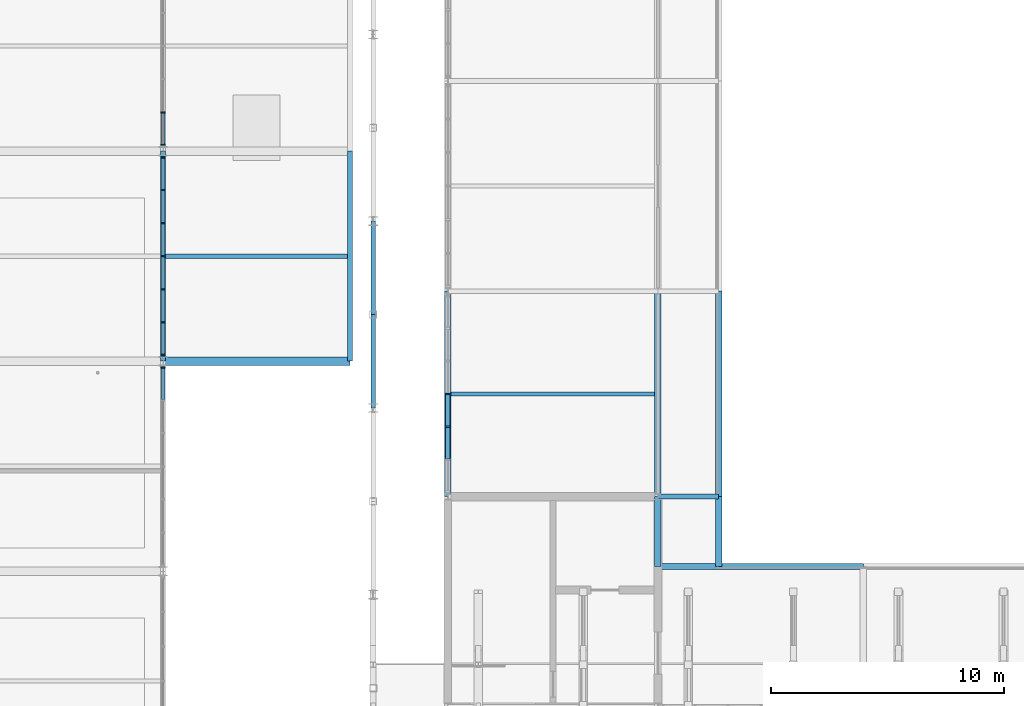
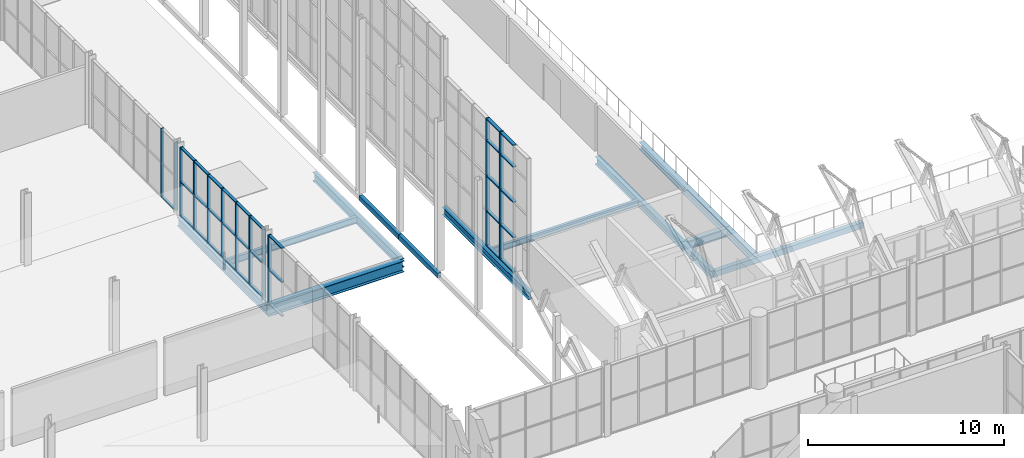
# One storey, part 48 of 134: 44 members, 14 beams, 4 elements without a shape of their own.
"""IFC4 building model written with IfcOpenShell, lengths in metres."""

import ifcopenshell
import ifcopenshell.guid

model = None  # the IFC model being written
_history = None  # IfcOwnerHistory: only IFC2X3 demands one
_inside = {}  # id of a spatial element -> (the spatial element, [elements in it])
_under = {}  # id of a project, library or spatial element -> (it, [spatial elements below it])
_declared = {}  # id of a project -> (the project, [libraries it declares])
_typed = {}  # id of a type object -> (the type object, [elements of that type])
_made_of = {}  # id of a material, layer set ... -> (it, [elements and type objects made of it])


def new_model(schema):
    """Start an empty IFC model of exactly this schema.

    Asked for "IFC4X3", IfcOpenShell would pick the latest addendum, in which some entities
    have other attributes; the version numbers below select the first issue.
    IFC2X3 requires an IfcOwnerHistory on every rooted entity: one is made here for all.
    """
    global model, _history
    if schema == "IFC4X3":
        model = ifcopenshell.file(schema_version=(4, 3, 0, 0))
    else:
        model = ifcopenshell.file(schema=schema)
    _inside.clear()
    _under.clear()
    _declared.clear()
    _typed.clear()
    _made_of.clear()
    _history = None
    if model.schema == "IFC2X3":
        org = make("IfcOrganization", Name="unknown")
        user = make(
            "IfcPersonAndOrganization",
            ThePerson=make("IfcPerson", FamilyName="unknown"),
            TheOrganization=org,
        )
        app = make(
            "IfcApplication",
            ApplicationDeveloper=org,
            Version="unknown",
            ApplicationFullName="unknown",
            ApplicationIdentifier="unknown",
        )
        _history = make(
            "IfcOwnerHistory",
            OwningUser=user,
            OwningApplication=app,
            ChangeAction="ADDED",
            CreationDate=0,
        )
    return model


def make(cls, **values):
    """One entity of the class cls with the attributes given. An attribute that is None is left unset."""
    return model.create_entity(
        cls, **{name: value for name, value in values.items() if value is not None}
    )


def rooted(cls, **values):
    """An entity with a GlobalId (a new one), such as an element, a storey or a relation."""
    return make(cls, GlobalId=ifcopenshell.guid.new(), OwnerHistory=_history, **values)


def si_unit(unit_type, name, prefix=None):
    """IfcSIUnit, for example si_unit("LENGTHUNIT", "METRE", prefix="MILLI")."""
    return make("IfcSIUnit", UnitType=unit_type, Prefix=prefix, Name=name)


def assignment(units):
    """IfcUnitAssignment: the units of a project."""
    return None if units is None else make("IfcUnitAssignment", Units=units)


def point(xyz):
    """IfcCartesianPoint."""
    return None if xyz is None else make("IfcCartesianPoint", Coordinates=xyz)


def direction(xyz):
    """IfcDirection."""
    return None if xyz is None else make("IfcDirection", DirectionRatios=xyz)


def frame(location, z_axis=None, x_axis=None):
    """IfcAxis2Placement3D, a coordinate frame: its origin and axes. An axis left out is left unset."""
    return make(
        "IfcAxis2Placement3D",
        Location=point(location),
        Axis=direction(z_axis),
        RefDirection=direction(x_axis),
    )


def frame_2d(location, x_axis=None):
    """IfcAxis2Placement2D, a coordinate frame in the plane: its origin and x axis."""
    return make(
        "IfcAxis2Placement2D", Location=point(location), RefDirection=direction(x_axis)
    )


def origin():
    """The frame at (0, 0, 0) with its axes left unset."""
    return frame((0.0, 0.0, 0.0))


def origin_2d():
    """The frame at (0, 0) in the plane with its x axis left unset."""
    return frame_2d((0.0, 0.0))


def place(relative_to, where):
    """IfcLocalPlacement: puts the frame where relative to a parent placement (None: the world)."""
    return make(
        "IfcLocalPlacement", PlacementRelTo=relative_to, RelativePlacement=where
    )


def context(
    kind, dimensions, precision=None, world=None, true_north=None, identifier=None
):
    """IfcGeometricRepresentationContext, for example the 3D "Model" context."""
    return make(
        "IfcGeometricRepresentationContext",
        ContextIdentifier=identifier,
        ContextType=kind,
        CoordinateSpaceDimension=dimensions,
        Precision=precision,
        WorldCoordinateSystem=world,
        TrueNorth=true_north,
    )


def subcontext(parent, identifier, kind, view, scale=None):
    """IfcGeometricRepresentationSubContext, for example "Body" below "Model"."""
    return make(
        "IfcGeometricRepresentationSubContext",
        ContextIdentifier=identifier,
        ContextType=kind,
        ParentContext=parent,
        TargetScale=scale,
        TargetView=view,
    )


def project(units=None, contexts=None):
    """IfcProject with its units and contexts."""
    return rooted(
        "IfcProject",
        Name="project",
        RepresentationContexts=contexts,
        UnitsInContext=assignment(units),
    )


def spatial(cls, under=None, at=None, **own):
    """A site, building, storey or space (cls), placed at a placement, below another one or the project."""
    s = rooted(cls, ObjectPlacement=at, **own)
    if under is not None:
        _under.setdefault(under.id(), (under, []))[1].append(s)
    return s


def profile(cls, at=None, kind="AREA", **sizes):
    """A parametric profile (cls). Its sizes go by their IFC names, for example OverallWidth=200.0."""
    return make(cls, ProfileType=kind, Position=at, **sizes)


def rectangle(**sizes):
    """IfcRectangleProfileDef."""
    return profile("IfcRectangleProfileDef", **sizes)


def hollow_rectangle(**sizes):
    """IfcRectangleHollowProfileDef."""
    return profile("IfcRectangleHollowProfileDef", **sizes)


def i_section(**sizes):
    """IfcIShapeProfileDef."""
    return profile("IfcIShapeProfileDef", **sizes)


def extrude(swept, where, along, depth):
    """IfcExtrudedAreaSolid: the profile swept, set in the frame where, extruded along a direction by depth."""
    return make(
        "IfcExtrudedAreaSolid",
        SweptArea=swept,
        Position=where,
        ExtrudedDirection=direction(along),
        Depth=depth,
    )


def shape(context_of_items, identifier, shape_type, items):
    """IfcShapeRepresentation: the items that make up one representation, for example the "Body"."""
    return make(
        "IfcShapeRepresentation",
        ContextOfItems=context_of_items,
        RepresentationIdentifier=identifier,
        RepresentationType=shape_type,
        Items=items,
    )


def material(Name=None, Category=None):
    """IfcMaterial."""
    return make("IfcMaterial", Name=Name, Category=Category)


def layer(
    of_material, thickness, ventilated=None, Name=None, Category=None, Priority=None
):
    """IfcMaterialLayer: one layer of a wall or slab, of a material (None: an air gap)."""
    return make(
        "IfcMaterialLayer",
        Material=of_material,
        LayerThickness=thickness,
        IsVentilated=ventilated,
        Name=Name,
        Category=Category,
        Priority=Priority,
    )


def layer_set(layers, Name=None):
    """IfcMaterialLayerSet."""
    return make("IfcMaterialLayerSet", MaterialLayers=layers, LayerSetName=Name)


def material_profile(
    of_material, cross_section, Name=None, Category=None, Priority=None
):
    """IfcMaterialProfile: a cross section and its material."""
    return make(
        "IfcMaterialProfile",
        Name=Name,
        Material=of_material,
        Profile=cross_section,
        Priority=Priority,
        Category=Category,
    )


def profile_set(profiles, Name=None, composite=None):
    """IfcMaterialProfileSet."""
    return make(
        "IfcMaterialProfileSet",
        Name=Name,
        MaterialProfiles=profiles,
        CompositeProfile=composite,
    )


def made_of(thing, what):
    """Note that an element or type object is made of a material, layer set ...; save() writes the relation."""
    if what is not None:
        _made_of.setdefault(what.id(), (what, []))[1].append(thing)
    return thing


def type_object(cls, material=None, **own):
    """A type object (cls), such as IfcWallType, which elements share."""
    return made_of(rooted(cls, **own), material)


def element(
    cls,
    number,
    at=None,
    inside=None,
    cuts=None,
    type_object=None,
    material=None,
    context=None,
    identifier="Body",
    shape_type=None,
    held_by="IfcProductDefinitionShape",
    body=None,
    shapes=None,
    **own,
):
    """One element of the class cls, such as IfcWall. Its Tag is "e" and its number.

    at: its placement. inside: the storey or other place that contains it. cuts: it is an
    opening in that element (IfcRelVoidsElement). A single representation is given by context,
    identifier, shape_type and body (its items); several are given by shapes. held_by: the class
    of the entity that holds the representations. save() writes the other relations.
    """
    e = rooted(cls, Tag="e%d" % number, ObjectPlacement=at, **own)
    if body is not None:
        shapes = [shape(context, identifier, shape_type, body)]
    if shapes is not None:
        e.Representation = make(held_by, Representations=shapes)
    if inside is not None:
        _inside.setdefault(inside.id(), (inside, []))[1].append(e)
    if cuts is not None:
        rooted(
            "IfcRelVoidsElement", RelatingBuildingElement=cuts, RelatedOpeningElement=e
        )
    if type_object is not None:
        _typed.setdefault(type_object.id(), (type_object, []))[1].append(e)
    return made_of(e, material)


def aggregate(whole, parts):
    """IfcRelAggregates: a whole, such as a stair, and the parts it consists of."""
    return rooted("IfcRelAggregates", RelatingObject=whole, RelatedObjects=parts)


def save(model, path):
    """Write the relations noted so far, then the file.

    IfcRelAggregates (storeys below a building ...), IfcRelContainedInSpatialStructure (elements
    in a storey), IfcRelDefinesByType, IfcRelAssociatesMaterial and IfcRelDeclares: one each for
    every whole, place, type object, material and project.
    """
    for whole, parts in _under.values():
        aggregate(whole, parts)
    for where, things in _inside.values():
        rooted(
            "IfcRelContainedInSpatialStructure",
            RelatedElements=things,
            RelatingStructure=where,
        )
    for kind, things in _typed.values():
        rooted("IfcRelDefinesByType", RelatedObjects=things, RelatingType=kind)
    for what, things in _made_of.values():
        rooted("IfcRelAssociatesMaterial", RelatedObjects=things, RelatingMaterial=what)
    for by, libraries in _declared.values():
        rooted("IfcRelDeclares", RelatingContext=by, RelatedDefinitions=libraries)
    model.write(path)


model = new_model("IFC4")

# Units and contexts
model_context = context("Model", 3, precision=1e-05, world=origin(), true_north=direction((0.0, 1.0)))
body_context = subcontext(model_context, "Body", "Model", "MODEL_VIEW")
ifc_project = project(units=[si_unit("LENGTHUNIT", "METRE"), si_unit("AREAUNIT", "SQUARE_METRE"), si_unit("VOLUMEUNIT", "CUBIC_METRE"), si_unit("PLANEANGLEUNIT", "RADIAN"), si_unit("MASSUNIT", "GRAM", prefix="KILO")], contexts=[model_context])

# Site, building, storey
site_placement = place(None, origin())
site = spatial("IfcSite", under=ifc_project, at=site_placement, CompositionType="ELEMENT")
building_placement = place(site_placement, origin())
building = spatial("IfcBuilding", under=site, at=building_placement, Name="Cazmaro Siding Exhibition Halls", CompositionType="ELEMENT")
storey_placement = place(building_placement, frame((0.0, 0.0, 12.0)))
storey = spatial("IfcBuildingStorey", under=building, at=storey_placement, Name="L02", CompositionType="ELEMENT", Elevation=12.0)

# Beams
ifc_material_1 = material(Name="Steel ASTM A992 Grade 50", Category="steel")
ifc_material_profile_1 = material_profile(ifc_material_1, i_section(OverallWidth=0.214111328125, OverallDepth=0.549072265625, WebThickness=0.014892578125, FlangeThickness=0.02392578125, at=origin_2d()), Name="W21X93")
ifc_profile_set_1 = profile_set([ifc_material_profile_1], Name="Steel ASTM A992 Grade 50")
beam_type_1 = type_object("IfcBeamType", Name="B-01", PredefinedType="BEAM", material=ifc_profile_set_1)
beam_1_placement = place(storey_placement, frame((36.0, 82.0, -0.4951171875), z_axis=(0.0, 1.0, 0.0), x_axis=(-1.0, 0.0, 0.0)))
element("IfcBeam", 1, at=beam_1_placement, inside=storey, type_object=beam_type_1, Name="Beam B-01 BM-2151", PredefinedType="BEAM", context=body_context, shape_type="SweptSolid", body=[
    extrude(i_section(OverallWidth=0.214111328125, OverallDepth=0.549072265625, WebThickness=0.014892578125, FlangeThickness=0.02392578125, at=origin_2d()), origin(), (0.0, 0.0, 1.0), 9.0),
])
ifc_material_2 = material(Name="Steel ASTM A992 Grade 50", Category="steel")
ifc_material_profile_2 = material_profile(ifc_material_2, i_section(OverallWidth=0.2099609375, OverallDepth=0.535888671875, WebThickness=0.010986328125, FlangeThickness=0.01708984375, at=origin_2d()), Name="W21X68")
ifc_profile_set_2 = profile_set([ifc_material_profile_2], Name="Steel ASTM A992 Grade 50")
beam_type_2 = type_object("IfcBeamType", Name="B-02", PredefinedType="BEAM", material=ifc_profile_set_2)
beam_2_placement = place(storey_placement, frame((57.199951171875, 76.199951171875, -0.488037109375), z_axis=(1.0, 0.0, 0.0), x_axis=(0.0, 1.0, 0.0)))
element("IfcBeam", 2, at=beam_2_placement, inside=storey, type_object=beam_type_2, Name="Beam B-02 BM-0501", PredefinedType="BEAM", context=body_context, shape_type="SweptSolid", body=[
    extrude(i_section(OverallWidth=0.2099609375, OverallDepth=0.535888671875, WebThickness=0.010986328125, FlangeThickness=0.01708984375, at=origin_2d()), origin(), (0.0, 0.0, 1.0), 2.60009765625),
])
beam_3_placement = place(storey_placement, frame((44.0, 82.0, -0.488037109375), z_axis=(0.0, 1.0, 0.0), x_axis=(-1.0, 0.0, 0.0)))
element("IfcBeam", 3, at=beam_3_placement, inside=storey, type_object=beam_type_2, Name="Beam B-02 BM-2162", PredefinedType="BEAM", context=body_context, shape_type="SweptSolid", body=[
    extrude(i_section(OverallWidth=0.2099609375, OverallDepth=0.535888671875, WebThickness=0.010986328125, FlangeThickness=0.01708984375, at=origin_2d()), origin(), (0.0, 0.0, 1.0), 9.0),
])
ifc_material_3 = material(Name="Steel ASTM A992 Grade 50", Category="steel")
ifc_material_profile_3 = material_profile(ifc_material_3, i_section(OverallWidth=0.279052734375, OverallDepth=0.4619140625, WebThickness=0.010986328125, FlangeThickness=0.01708984375, at=origin_2d()), Name="W18X76")
ifc_profile_set_3 = profile_set([ifc_material_profile_3], Name="Steel ASTM A992 Grade 50")
beam_type_3 = type_object("IfcBeamType", Name="B-03", PredefinedType="BEAM", material=ifc_profile_set_3)
for number, where, z_axis, x_axis, name in (
    (4, (48.199951171875, 76.199951171875, -0.450927734375), (0.0, 1.0, 0.0), (-1.0, 0.0, 0.0), "Beam B-03 BM-0489"),
    (5, (57.199951171875, 76.199951171875, -0.450927734375), (0.0, 1.0, 0.0), (-1.0, 0.0, 0.0), "Beam B-03 BM-0490"),
    (6, (59.800048828125, 76.199951171875, -0.450927734375), (0.0, 1.0, 0.0), (-1.0, 0.0, 0.0), "Beam B-03 BM-0505"),
):
    element("IfcBeam", number, at=place(storey_placement, frame(where, z_axis=z_axis, x_axis=x_axis)), inside=storey, type_object=beam_type_3, Name=name, PredefinedType="BEAM", context=body_context, shape_type="SweptSolid", body=[
        extrude(i_section(OverallWidth=0.279052734375, OverallDepth=0.4619140625, WebThickness=0.010986328125, FlangeThickness=0.01708984375, at=origin_2d()), origin(), (0.0, 0.0, 1.0), 8.800048828125),
    ])
for number, where, z_axis, x_axis, name in (
    (7, (57.199951171875, 73.199951171875, -0.450927734375), (0.0, 1.0, 0.0), (-1.0, 0.0, 0.0), "Beam B-03 BM-0531"),
    (8, (59.800048828125, 73.199951171875, -0.450927734375), (0.0, 1.0, 0.0), (-1.0, 0.0, 0.0), "Beam B-03 BM-0532"),
):
    element("IfcBeam", number, at=place(storey_placement, frame(where, z_axis=z_axis, x_axis=x_axis)), inside=storey, type_object=beam_type_3, Name=name, PredefinedType="BEAM", context=body_context, shape_type="SweptSolid", body=[
        extrude(i_section(OverallWidth=0.279052734375, OverallDepth=0.4619140625, WebThickness=0.010986328125, FlangeThickness=0.01708984375, at=origin_2d()), origin(), (0.0, 0.0, 1.0), 3.0),
    ])
ifc_material_4 = material(Name="Steel ASTM A500 Grade C", Category="steel")
ifc_material_profile_4 = material_profile(ifc_material_4, hollow_rectangle(XDim=0.25390625, YDim=0.35595703125, WallThickness=0.014892578125, at=origin_2d()), Name="HSS14X10X5/8")
ifc_profile_set_4 = profile_set([ifc_material_profile_4], Name="Steel ASTM A500 Grade C")
beam_type_4 = type_object("IfcBeamType", Name="B-06", PredefinedType="BEAM", material=ifc_profile_set_4)
beam_4_placement = place(storey_placement, frame((57.199951171875, 73.199951171875, -0.39794921875), z_axis=(1.0, 0.0, 0.0), x_axis=(0.0, 1.0, 0.0)))
element("IfcBeam", 9, at=beam_4_placement, inside=storey, type_object=beam_type_4, Name="Beam B-06 BM-0452", PredefinedType="BEAM", context=body_context, shape_type="SweptSolid", body=[
    extrude(hollow_rectangle(XDim=0.25390625, YDim=0.35595703125, WallThickness=0.014892578125, at=origin_2d()), origin(), (0.0, 0.0, 1.0), 8.800048828125),
])

# Curtain wall, member
ifc_material_5 = material(Name="Anodized Bronze Aluminum and Solar-Control Low-E Glazing", Category="aluminium")
ifc_layer_1 = layer(ifc_material_5, 0.179931640625)
ifc_layer_set_1 = layer_set([ifc_layer_1], Name="Anodized Bronze Aluminum and Solar-Control Low-E Glazing")
curtain_wall_type_1 = type_object("IfcCurtainWallType", Name="CWS-01", PredefinedType="USERDEFINED", material=ifc_layer_set_1)
curtain_wall_1_placement = place(storey_placement, origin())
curtain_wall_1 = element("IfcCurtainWall", 10, at=curtain_wall_1_placement, inside=storey, type_object=curtain_wall_type_1, Name="Glazed Curtain Wall CWS-01 CW-238", ObjectType="GLAZED CURTAIN WALL", PredefinedType="USERDEFINED")
ifc_material_6 = material(Name="Anodized Bronze Extruded Aluminum", Category="aluminium")
ifc_material_profile_5 = material_profile(ifc_material_6, rectangle(XDim=0.179931640625, YDim=0.06005859375, at=origin_2d()), Name="CWM-01")
ifc_profile_set_5 = profile_set([ifc_material_profile_5], Name="Anodized Bronze Extruded Aluminum")
member_type_1 = type_object("IfcMemberType", Name="CWM-01", PredefinedType="MULLION", material=ifc_profile_set_5)
member_1_placement = place(storey_placement, frame((36.0, 81.72509765625, 0.0), z_axis=(0.0, 0.0, 1.0), x_axis=(-1.0, 0.0, 0.0)))
member_1 = element("IfcMember", 11, at=member_1_placement, type_object=member_type_1, Name="CWS-01 mullion 7", PredefinedType="MULLION", context=body_context, shape_type="SweptSolid", body=[
    extrude(rectangle(XDim=0.179931640625, YDim=0.06005859375, at=origin_2d()), origin(), (0.0, 0.0, 1.0), 4.280029296875),
])

# Curtain wall, members
curtain_wall_2_placement = place(storey_placement, origin())
curtain_wall_2 = element("IfcCurtainWall", 12, at=curtain_wall_2_placement, inside=storey, type_object=curtain_wall_type_1, Name="Glazed Curtain Wall CWS-01 CW-240", ObjectType="GLAZED CURTAIN WALL", PredefinedType="USERDEFINED")
member_2_placement = place(storey_placement, frame((36.0, 82.27490234375, 0.0), z_axis=(0.0, 0.0, 1.0), x_axis=(-1.0, 0.0, 0.0)))
member_2 = element("IfcMember", 13, at=member_2_placement, type_object=member_type_1, Name="CWS-01 mullion 1", PredefinedType="MULLION", context=body_context, shape_type="SweptSolid", body=[
    extrude(rectangle(XDim=0.179931640625, YDim=0.06005859375, at=origin_2d()), origin(), (0.0, 0.0, 1.0), 4.280029296875),
])
member_3_placement = place(storey_placement, frame((36.0, 83.663330078125, 0.0), z_axis=(0.0, 0.0, 1.0), x_axis=(-1.0, 0.0, 0.0)))
member_3 = element("IfcMember", 14, at=member_3_placement, type_object=member_type_1, Name="CWS-01 mullion 2", PredefinedType="MULLION", context=body_context, shape_type="SweptSolid", body=[
    extrude(rectangle(XDim=0.179931640625, YDim=0.06005859375, at=origin_2d()), origin(), (0.0, 0.0, 1.0), 4.280029296875),
])
member_4_placement = place(storey_placement, frame((36.0, 85.081787109375, 0.0), z_axis=(0.0, 0.0, 1.0), x_axis=(-1.0, 0.0, 0.0)))
member_4 = element("IfcMember", 15, at=member_4_placement, type_object=member_type_1, Name="CWS-01 mullion 3", PredefinedType="MULLION", context=body_context, shape_type="SweptSolid", body=[
    extrude(rectangle(XDim=0.179931640625, YDim=0.06005859375, at=origin_2d()), origin(), (0.0, 0.0, 1.0), 4.280029296875),
])
member_5_placement = place(storey_placement, frame((36.0, 86.5, 0.0), z_axis=(0.0, 0.0, 1.0), x_axis=(-1.0, 0.0, 0.0)))
member_5 = element("IfcMember", 16, at=member_5_placement, type_object=member_type_1, Name="CWS-01 mullion 4", PredefinedType="MULLION", context=body_context, shape_type="SweptSolid", body=[
    extrude(rectangle(XDim=0.179931640625, YDim=0.06005859375, at=origin_2d()), origin(), (0.0, 0.0, 1.0), 4.280029296875),
])
member_6_placement = place(storey_placement, frame((36.0, 87.918212890625, 0.0), z_axis=(0.0, 0.0, 1.0), x_axis=(-1.0, 0.0, 0.0)))
member_6 = element("IfcMember", 17, at=member_6_placement, type_object=member_type_1, Name="CWS-01 mullion 5", PredefinedType="MULLION", context=body_context, shape_type="SweptSolid", body=[
    extrude(rectangle(XDim=0.179931640625, YDim=0.06005859375, at=origin_2d()), origin(), (0.0, 0.0, 1.0), 4.280029296875),
])
member_7_placement = place(storey_placement, frame((36.0, 89.336669921875, 0.0), z_axis=(0.0, 0.0, 1.0), x_axis=(-1.0, 0.0, 0.0)))
member_7 = element("IfcMember", 18, at=member_7_placement, type_object=member_type_1, Name="CWS-01 mullion 6", PredefinedType="MULLION", context=body_context, shape_type="SweptSolid", body=[
    extrude(rectangle(XDim=0.179931640625, YDim=0.06005859375, at=origin_2d()), origin(), (0.0, 0.0, 1.0), 4.280029296875),
])
member_8_placement = place(storey_placement, frame((36.0, 90.72509765625, 0.0), z_axis=(0.0, 0.0, 1.0), x_axis=(-1.0, 0.0, 0.0)))
member_8 = element("IfcMember", 19, at=member_8_placement, type_object=member_type_1, Name="CWS-01 mullion 7", PredefinedType="MULLION", context=body_context, shape_type="SweptSolid", body=[
    extrude(rectangle(XDim=0.179931640625, YDim=0.06005859375, at=origin_2d()), origin(), (0.0, 0.0, 1.0), 4.280029296875),
])

curtain_wall_3_placement = place(storey_placement, origin())
curtain_wall_3 = element("IfcCurtainWall", 20, at=curtain_wall_3_placement, inside=storey, type_object=curtain_wall_type_1, Name="Glazed Curtain Wall CWS-01 CW-241", ObjectType="GLAZED CURTAIN WALL", PredefinedType="USERDEFINED")
member_9_placement = place(storey_placement, frame((36.0, 91.27490234375, 0.0), z_axis=(0.0, 0.0, 1.0), x_axis=(-1.0, 0.0, 0.0)))
member_9 = element("IfcMember", 21, at=member_9_placement, type_object=member_type_1, Name="CWS-01 mullion 1", PredefinedType="MULLION", context=body_context, shape_type="SweptSolid", body=[
    extrude(rectangle(XDim=0.179931640625, YDim=0.06005859375, at=origin_2d()), origin(), (0.0, 0.0, 1.0), 4.280029296875),
])
member_10_placement = place(storey_placement, frame((36.0, 92.663330078125, 0.0), z_axis=(0.0, 0.0, 1.0), x_axis=(-1.0, 0.0, 0.0)))
member_10 = element("IfcMember", 22, at=member_10_placement, type_object=member_type_1, Name="CWS-01 mullion 2", PredefinedType="MULLION", context=body_context, shape_type="SweptSolid", body=[
    extrude(rectangle(XDim=0.179931640625, YDim=0.06005859375, at=origin_2d()), origin(), (0.0, 0.0, 1.0), 4.280029296875),
])

ifc_material_7 = material(Name="Anodized Bronze Aluminum and Solar-Control Low-E Glazing", Category="aluminium")
ifc_layer_2 = layer(ifc_material_7, 0.219970703125)
ifc_layer_set_2 = layer_set([ifc_layer_2], Name="Anodized Bronze Aluminum and Solar-Control Low-E Glazing")
curtain_wall_type_2 = type_object("IfcCurtainWallType", Name="CWS-03", PredefinedType="USERDEFINED", material=ifc_layer_set_2)
curtain_wall_4_placement = place(storey_placement, origin())
curtain_wall_4 = element("IfcCurtainWall", 23, at=curtain_wall_4_placement, inside=storey, type_object=curtain_wall_type_2, Name="Glazed Curtain Wall CWS-03 CW-052", ObjectType="GLAZED CURTAIN WALL", PredefinedType="USERDEFINED")
ifc_material_8 = material(Name="Anodized Bronze Extruded Aluminum", Category="aluminium")
ifc_material_profile_6 = material_profile(ifc_material_8, rectangle(XDim=0.219970703125, YDim=0.070068359375, at=origin_2d()), Name="CWM-03")
ifc_profile_set_6 = profile_set([ifc_material_profile_6], Name="Anodized Bronze Extruded Aluminum")
member_type_2 = type_object("IfcMemberType", Name="CWM-03", PredefinedType="MULLION", material=ifc_profile_set_6)
member_11_placement = place(storey_placement, frame((48.199951171875, 80.60009765625, 0.0), z_axis=(0.0, 0.0, 1.0), x_axis=(1.0, 0.0, 0.0)))
member_11 = element("IfcMember", 24, at=member_11_placement, type_object=member_type_2, Name="CWS-03 mullion 4", PredefinedType="MULLION", context=body_context, shape_type="SweptSolid", body=[
    extrude(rectangle(XDim=0.219970703125, YDim=0.070068359375, at=origin_2d()), origin(), (0.0, 0.0, 1.0), 7.972900390625),
])
member_12_placement = place(storey_placement, frame((48.199951171875, 79.1923828125, 0.0), z_axis=(0.0, 0.0, 1.0), x_axis=(1.0, 0.0, 0.0)))
member_12 = element("IfcMember", 25, at=member_12_placement, type_object=member_type_2, Name="CWS-03 mullion 5", PredefinedType="MULLION", context=body_context, shape_type="SweptSolid", body=[
    extrude(rectangle(XDim=0.219970703125, YDim=0.070068359375, at=origin_2d()), origin(), (0.0, 0.0, 1.0), 7.972900390625),
])

# Member
ifc_material_9 = material(Name="Anodized Bronze Extruded Aluminum", Category="aluminium")
ifc_material_profile_7 = material_profile(ifc_material_9, rectangle(XDim=0.159912109375, YDim=0.06005859375, at=origin_2d()), Name="CWT-01")
ifc_profile_set_7 = profile_set([ifc_material_profile_7], Name="Anodized Bronze Extruded Aluminum")
member_type_3 = type_object("IfcMemberType", Name="CWT-01", PredefinedType="MULLION", material=ifc_profile_set_7)
member_13_placement = place(storey_placement, frame((36.0, 80.36669921875, 0.030029296875), z_axis=(0.0, 1.0, 0.0), x_axis=(-1.0, 0.0, 0.0)))
member_13 = element("IfcMember", 26, at=member_13_placement, type_object=member_type_3, Name="CWS-01 transom 6.1", ObjectType="TRANSOM", PredefinedType="USERDEFINED", context=body_context, shape_type="SweptSolid", body=[
    extrude(rectangle(XDim=0.159912109375, YDim=0.06005859375, at=origin_2d()), origin(), (0.0, 0.0, 1.0), 1.328369140625),
])

member_14_placement = place(storey_placement, frame((36.0, 80.36669921875, 2.139892578125), z_axis=(0.0, 1.0, 0.0), x_axis=(-1.0, 0.0, 0.0)))
member_14 = element("IfcMember", 27, at=member_14_placement, type_object=member_type_3, Name="CWS-01 transom 6.2", ObjectType="TRANSOM", PredefinedType="USERDEFINED", context=body_context, shape_type="SweptSolid", body=[
    extrude(rectangle(XDim=0.159912109375, YDim=0.06005859375, at=origin_2d()), origin(), (0.0, 0.0, 1.0), 1.328369140625),
])

member_15_placement = place(storey_placement, frame((36.0, 80.36669921875, 4.25), z_axis=(0.0, 1.0, 0.0), x_axis=(-1.0, 0.0, 0.0)))
member_15 = element("IfcMember", 28, at=member_15_placement, type_object=member_type_3, Name="CWS-01 transom 6.3", ObjectType="TRANSOM", PredefinedType="USERDEFINED", context=body_context, shape_type="SweptSolid", body=[
    extrude(rectangle(XDim=0.159912109375, YDim=0.06005859375, at=origin_2d()), origin(), (0.0, 0.0, 1.0), 1.328369140625),
])

aggregate(curtain_wall_1, [member_1, member_13, member_14, member_15])

member_16_placement = place(storey_placement, frame((36.0, 82.304931640625, 0.030029296875), z_axis=(0.0, 1.0, 0.0), x_axis=(-1.0, 0.0, 0.0)))
member_16 = element("IfcMember", 29, at=member_16_placement, type_object=member_type_3, Name="CWS-01 transom 1.1", ObjectType="TRANSOM", PredefinedType="USERDEFINED", context=body_context, shape_type="SweptSolid", body=[
    extrude(rectangle(XDim=0.159912109375, YDim=0.06005859375, at=origin_2d()), origin(), (0.0, 0.0, 1.0), 1.328369140625),
])

member_17_placement = place(storey_placement, frame((36.0, 82.304931640625, 2.139892578125), z_axis=(0.0, 1.0, 0.0), x_axis=(-1.0, 0.0, 0.0)))
member_17 = element("IfcMember", 30, at=member_17_placement, type_object=member_type_3, Name="CWS-01 transom 1.2", ObjectType="TRANSOM", PredefinedType="USERDEFINED", context=body_context, shape_type="SweptSolid", body=[
    extrude(rectangle(XDim=0.159912109375, YDim=0.06005859375, at=origin_2d()), origin(), (0.0, 0.0, 1.0), 1.328369140625),
])

member_18_placement = place(storey_placement, frame((36.0, 82.304931640625, 4.25), z_axis=(0.0, 1.0, 0.0), x_axis=(-1.0, 0.0, 0.0)))
member_18 = element("IfcMember", 31, at=member_18_placement, type_object=member_type_3, Name="CWS-01 transom 1.3", ObjectType="TRANSOM", PredefinedType="USERDEFINED", context=body_context, shape_type="SweptSolid", body=[
    extrude(rectangle(XDim=0.159912109375, YDim=0.06005859375, at=origin_2d()), origin(), (0.0, 0.0, 1.0), 1.328369140625),
])

member_19_placement = place(storey_placement, frame((36.0, 83.693359375, 0.030029296875), z_axis=(0.0, 1.0, 0.0), x_axis=(-1.0, 0.0, 0.0)))
member_19 = element("IfcMember", 32, at=member_19_placement, type_object=member_type_3, Name="CWS-01 transom 2.1", ObjectType="TRANSOM", PredefinedType="USERDEFINED", context=body_context, shape_type="SweptSolid", body=[
    extrude(rectangle(XDim=0.159912109375, YDim=0.06005859375, at=origin_2d()), origin(), (0.0, 0.0, 1.0), 1.3583984375),
])

member_20_placement = place(storey_placement, frame((36.0, 83.693359375, 2.139892578125), z_axis=(0.0, 1.0, 0.0), x_axis=(-1.0, 0.0, 0.0)))
member_20 = element("IfcMember", 33, at=member_20_placement, type_object=member_type_3, Name="CWS-01 transom 2.2", ObjectType="TRANSOM", PredefinedType="USERDEFINED", context=body_context, shape_type="SweptSolid", body=[
    extrude(rectangle(XDim=0.159912109375, YDim=0.06005859375, at=origin_2d()), origin(), (0.0, 0.0, 1.0), 1.3583984375),
])

member_21_placement = place(storey_placement, frame((36.0, 83.693359375, 4.25), z_axis=(0.0, 1.0, 0.0), x_axis=(-1.0, 0.0, 0.0)))
member_21 = element("IfcMember", 34, at=member_21_placement, type_object=member_type_3, Name="CWS-01 transom 2.3", ObjectType="TRANSOM", PredefinedType="USERDEFINED", context=body_context, shape_type="SweptSolid", body=[
    extrude(rectangle(XDim=0.159912109375, YDim=0.06005859375, at=origin_2d()), origin(), (0.0, 0.0, 1.0), 1.3583984375),
])

member_22_placement = place(storey_placement, frame((36.0, 85.111572265625, 0.030029296875), z_axis=(0.0, 1.0, 0.0), x_axis=(-1.0, 0.0, 0.0)))
member_22 = element("IfcMember", 35, at=member_22_placement, type_object=member_type_3, Name="CWS-01 transom 3.1", ObjectType="TRANSOM", PredefinedType="USERDEFINED", context=body_context, shape_type="SweptSolid", body=[
    extrude(rectangle(XDim=0.159912109375, YDim=0.06005859375, at=origin_2d()), origin(), (0.0, 0.0, 1.0), 1.3583984375),
])

member_23_placement = place(storey_placement, frame((36.0, 85.111572265625, 2.139892578125), z_axis=(0.0, 1.0, 0.0), x_axis=(-1.0, 0.0, 0.0)))
member_23 = element("IfcMember", 36, at=member_23_placement, type_object=member_type_3, Name="CWS-01 transom 3.2", ObjectType="TRANSOM", PredefinedType="USERDEFINED", context=body_context, shape_type="SweptSolid", body=[
    extrude(rectangle(XDim=0.159912109375, YDim=0.06005859375, at=origin_2d()), origin(), (0.0, 0.0, 1.0), 1.3583984375),
])

member_24_placement = place(storey_placement, frame((36.0, 85.111572265625, 4.25), z_axis=(0.0, 1.0, 0.0), x_axis=(-1.0, 0.0, 0.0)))
member_24 = element("IfcMember", 37, at=member_24_placement, type_object=member_type_3, Name="CWS-01 transom 3.3", ObjectType="TRANSOM", PredefinedType="USERDEFINED", context=body_context, shape_type="SweptSolid", body=[
    extrude(rectangle(XDim=0.159912109375, YDim=0.06005859375, at=origin_2d()), origin(), (0.0, 0.0, 1.0), 1.3583984375),
])

member_25_placement = place(storey_placement, frame((36.0, 86.530029296875, 0.030029296875), z_axis=(0.0, 1.0, 0.0), x_axis=(-1.0, 0.0, 0.0)))
member_25 = element("IfcMember", 38, at=member_25_placement, type_object=member_type_3, Name="CWS-01 transom 4.1", ObjectType="TRANSOM", PredefinedType="USERDEFINED", context=body_context, shape_type="SweptSolid", body=[
    extrude(rectangle(XDim=0.159912109375, YDim=0.06005859375, at=origin_2d()), origin(), (0.0, 0.0, 1.0), 1.3583984375),
])

member_26_placement = place(storey_placement, frame((36.0, 86.530029296875, 2.139892578125), z_axis=(0.0, 1.0, 0.0), x_axis=(-1.0, 0.0, 0.0)))
member_26 = element("IfcMember", 39, at=member_26_placement, type_object=member_type_3, Name="CWS-01 transom 4.2", ObjectType="TRANSOM", PredefinedType="USERDEFINED", context=body_context, shape_type="SweptSolid", body=[
    extrude(rectangle(XDim=0.159912109375, YDim=0.06005859375, at=origin_2d()), origin(), (0.0, 0.0, 1.0), 1.3583984375),
])

member_27_placement = place(storey_placement, frame((36.0, 86.530029296875, 4.25), z_axis=(0.0, 1.0, 0.0), x_axis=(-1.0, 0.0, 0.0)))
member_27 = element("IfcMember", 40, at=member_27_placement, type_object=member_type_3, Name="CWS-01 transom 4.3", ObjectType="TRANSOM", PredefinedType="USERDEFINED", context=body_context, shape_type="SweptSolid", body=[
    extrude(rectangle(XDim=0.159912109375, YDim=0.06005859375, at=origin_2d()), origin(), (0.0, 0.0, 1.0), 1.3583984375),
])

member_28_placement = place(storey_placement, frame((36.0, 87.9482421875, 0.030029296875), z_axis=(0.0, 1.0, 0.0), x_axis=(-1.0, 0.0, 0.0)))
member_28 = element("IfcMember", 41, at=member_28_placement, type_object=member_type_3, Name="CWS-01 transom 5.1", ObjectType="TRANSOM", PredefinedType="USERDEFINED", context=body_context, shape_type="SweptSolid", body=[
    extrude(rectangle(XDim=0.159912109375, YDim=0.06005859375, at=origin_2d()), origin(), (0.0, 0.0, 1.0), 1.3583984375),
])

member_29_placement = place(storey_placement, frame((36.0, 87.9482421875, 2.139892578125), z_axis=(0.0, 1.0, 0.0), x_axis=(-1.0, 0.0, 0.0)))
member_29 = element("IfcMember", 42, at=member_29_placement, type_object=member_type_3, Name="CWS-01 transom 5.2", ObjectType="TRANSOM", PredefinedType="USERDEFINED", context=body_context, shape_type="SweptSolid", body=[
    extrude(rectangle(XDim=0.159912109375, YDim=0.06005859375, at=origin_2d()), origin(), (0.0, 0.0, 1.0), 1.3583984375),
])

member_30_placement = place(storey_placement, frame((36.0, 87.9482421875, 4.25), z_axis=(0.0, 1.0, 0.0), x_axis=(-1.0, 0.0, 0.0)))
member_30 = element("IfcMember", 43, at=member_30_placement, type_object=member_type_3, Name="CWS-01 transom 5.3", ObjectType="TRANSOM", PredefinedType="USERDEFINED", context=body_context, shape_type="SweptSolid", body=[
    extrude(rectangle(XDim=0.159912109375, YDim=0.06005859375, at=origin_2d()), origin(), (0.0, 0.0, 1.0), 1.3583984375),
])

member_31_placement = place(storey_placement, frame((36.0, 89.36669921875, 0.030029296875), z_axis=(0.0, 1.0, 0.0), x_axis=(-1.0, 0.0, 0.0)))
member_31 = element("IfcMember", 44, at=member_31_placement, type_object=member_type_3, Name="CWS-01 transom 6.1", ObjectType="TRANSOM", PredefinedType="USERDEFINED", context=body_context, shape_type="SweptSolid", body=[
    extrude(rectangle(XDim=0.159912109375, YDim=0.06005859375, at=origin_2d()), origin(), (0.0, 0.0, 1.0), 1.328369140625),
])

member_32_placement = place(storey_placement, frame((36.0, 89.36669921875, 2.139892578125), z_axis=(0.0, 1.0, 0.0), x_axis=(-1.0, 0.0, 0.0)))
member_32 = element("IfcMember", 45, at=member_32_placement, type_object=member_type_3, Name="CWS-01 transom 6.2", ObjectType="TRANSOM", PredefinedType="USERDEFINED", context=body_context, shape_type="SweptSolid", body=[
    extrude(rectangle(XDim=0.159912109375, YDim=0.06005859375, at=origin_2d()), origin(), (0.0, 0.0, 1.0), 1.328369140625),
])

member_33_placement = place(storey_placement, frame((36.0, 89.36669921875, 4.25), z_axis=(0.0, 1.0, 0.0), x_axis=(-1.0, 0.0, 0.0)))
member_33 = element("IfcMember", 46, at=member_33_placement, type_object=member_type_3, Name="CWS-01 transom 6.3", ObjectType="TRANSOM", PredefinedType="USERDEFINED", context=body_context, shape_type="SweptSolid", body=[
    extrude(rectangle(XDim=0.159912109375, YDim=0.06005859375, at=origin_2d()), origin(), (0.0, 0.0, 1.0), 1.328369140625),
])

aggregate(curtain_wall_2, [member_2, member_3, member_4, member_5, member_6, member_7, member_8, member_16, member_17, member_18, member_19, member_20, member_21, member_22, member_23, member_24, member_25, member_26, member_27, member_28, member_29, member_30, member_31, member_32, member_33])

member_34_placement = place(storey_placement, frame((36.0, 91.304931640625, 0.030029296875), z_axis=(0.0, 1.0, 0.0), x_axis=(-1.0, 0.0, 0.0)))
member_34 = element("IfcMember", 47, at=member_34_placement, type_object=member_type_3, Name="CWS-01 transom 1.1", ObjectType="TRANSOM", PredefinedType="USERDEFINED", context=body_context, shape_type="SweptSolid", body=[
    extrude(rectangle(XDim=0.159912109375, YDim=0.06005859375, at=origin_2d()), origin(), (0.0, 0.0, 1.0), 1.328369140625),
])

aggregate(curtain_wall_3, [member_9, member_10, member_34])

ifc_material_10 = material(Name="Anodized Bronze Extruded Aluminum", Category="aluminium")
ifc_material_profile_8 = material_profile(ifc_material_10, rectangle(XDim=0.199951171875, YDim=0.070068359375, at=origin_2d()), Name="CWT-03")
ifc_profile_set_8 = profile_set([ifc_material_profile_8], Name="Anodized Bronze Extruded Aluminum")
member_type_4 = type_object("IfcMemberType", Name="CWT-03", PredefinedType="MULLION", material=ifc_profile_set_8)
member_35_placement = place(storey_placement, frame((48.199951171875, 80.56494140625, 0.034912109375), z_axis=(0.0, -1.0, 0.0), x_axis=(1.0, 0.0, 0.0)))
member_35 = element("IfcMember", 48, at=member_35_placement, type_object=member_type_4, Name="CWS-03 transom 4.1", ObjectType="TRANSOM", PredefinedType="USERDEFINED", context=body_context, shape_type="SweptSolid", body=[
    extrude(rectangle(XDim=0.199951171875, YDim=0.070068359375, at=origin_2d()), origin(), (0.0, 0.0, 1.0), 1.337646484375),
])

member_36_placement = place(storey_placement, frame((48.199951171875, 80.56494140625, 2.199951171875), z_axis=(0.0, -1.0, 0.0), x_axis=(1.0, 0.0, 0.0)))
member_36 = element("IfcMember", 49, at=member_36_placement, type_object=member_type_4, Name="CWS-03 transom 4.2", ObjectType="TRANSOM", PredefinedType="USERDEFINED", context=body_context, shape_type="SweptSolid", body=[
    extrude(rectangle(XDim=0.199951171875, YDim=0.070068359375, at=origin_2d()), origin(), (0.0, 0.0, 1.0), 1.337646484375),
])

member_37_placement = place(storey_placement, frame((48.199951171875, 80.56494140625, 4.39990234375), z_axis=(0.0, -1.0, 0.0), x_axis=(1.0, 0.0, 0.0)))
member_37 = element("IfcMember", 50, at=member_37_placement, type_object=member_type_4, Name="CWS-03 transom 4.3", ObjectType="TRANSOM", PredefinedType="USERDEFINED", context=body_context, shape_type="SweptSolid", body=[
    extrude(rectangle(XDim=0.199951171875, YDim=0.070068359375, at=origin_2d()), origin(), (0.0, 0.0, 1.0), 1.337646484375),
])

member_38_placement = place(storey_placement, frame((48.199951171875, 80.56494140625, 6.60009765625), z_axis=(0.0, -1.0, 0.0), x_axis=(1.0, 0.0, 0.0)))
member_38 = element("IfcMember", 51, at=member_38_placement, type_object=member_type_4, Name="CWS-03 transom 4.4", ObjectType="TRANSOM", PredefinedType="USERDEFINED", context=body_context, shape_type="SweptSolid", body=[
    extrude(rectangle(XDim=0.199951171875, YDim=0.070068359375, at=origin_2d()), origin(), (0.0, 0.0, 1.0), 1.337646484375),
])

member_39_placement = place(storey_placement, frame((48.199951171875, 80.56494140625, 7.93798828125), z_axis=(0.0, -1.0, 0.0), x_axis=(1.0, 0.0, 0.0)))
member_39 = element("IfcMember", 52, at=member_39_placement, type_object=member_type_4, Name="CWS-03 transom 4.5", ObjectType="TRANSOM", PredefinedType="USERDEFINED", context=body_context, shape_type="SweptSolid", body=[
    extrude(rectangle(XDim=0.199951171875, YDim=0.070068359375, at=origin_2d()), origin(), (0.0, 0.0, 1.0), 1.337646484375),
])

member_40_placement = place(storey_placement, frame((48.199951171875, 79.1572265625, 0.034912109375), z_axis=(0.0, -1.0, 0.0), x_axis=(1.0, 0.0, 0.0)))
member_40 = element("IfcMember", 53, at=member_40_placement, type_object=member_type_4, Name="CWS-03 transom 5.1", ObjectType="TRANSOM", PredefinedType="USERDEFINED", context=body_context, shape_type="SweptSolid", body=[
    extrude(rectangle(XDim=0.199951171875, YDim=0.070068359375, at=origin_2d()), origin(), (0.0, 0.0, 1.0), 1.337646484375),
])

member_41_placement = place(storey_placement, frame((48.199951171875, 79.1572265625, 2.199951171875), z_axis=(0.0, -1.0, 0.0), x_axis=(1.0, 0.0, 0.0)))
member_41 = element("IfcMember", 54, at=member_41_placement, type_object=member_type_4, Name="CWS-03 transom 5.2", ObjectType="TRANSOM", PredefinedType="USERDEFINED", context=body_context, shape_type="SweptSolid", body=[
    extrude(rectangle(XDim=0.199951171875, YDim=0.070068359375, at=origin_2d()), origin(), (0.0, 0.0, 1.0), 1.337646484375),
])

member_42_placement = place(storey_placement, frame((48.199951171875, 79.1572265625, 4.39990234375), z_axis=(0.0, -1.0, 0.0), x_axis=(1.0, 0.0, 0.0)))
member_42 = element("IfcMember", 55, at=member_42_placement, type_object=member_type_4, Name="CWS-03 transom 5.3", ObjectType="TRANSOM", PredefinedType="USERDEFINED", context=body_context, shape_type="SweptSolid", body=[
    extrude(rectangle(XDim=0.199951171875, YDim=0.070068359375, at=origin_2d()), origin(), (0.0, 0.0, 1.0), 1.337646484375),
])

member_43_placement = place(storey_placement, frame((48.199951171875, 79.1572265625, 6.60009765625), z_axis=(0.0, -1.0, 0.0), x_axis=(1.0, 0.0, 0.0)))
member_43 = element("IfcMember", 56, at=member_43_placement, type_object=member_type_4, Name="CWS-03 transom 5.4", ObjectType="TRANSOM", PredefinedType="USERDEFINED", context=body_context, shape_type="SweptSolid", body=[
    extrude(rectangle(XDim=0.199951171875, YDim=0.070068359375, at=origin_2d()), origin(), (0.0, 0.0, 1.0), 1.337646484375),
])

member_44_placement = place(storey_placement, frame((48.199951171875, 79.1572265625, 7.93798828125), z_axis=(0.0, -1.0, 0.0), x_axis=(1.0, 0.0, 0.0)))
member_44 = element("IfcMember", 57, at=member_44_placement, type_object=member_type_4, Name="CWS-03 transom 5.5", ObjectType="TRANSOM", PredefinedType="USERDEFINED", context=body_context, shape_type="SweptSolid", body=[
    extrude(rectangle(XDim=0.199951171875, YDim=0.070068359375, at=origin_2d()), origin(), (0.0, 0.0, 1.0), 1.337646484375),
])

aggregate(curtain_wall_4, [member_11, member_12, member_35, member_36, member_37, member_38, member_39, member_40, member_41, member_42, member_43, member_44])

# Beams
ifc_material_11 = material(Name="Steel ASTM A992 Grade 50", Category="steel")
ifc_material_profile_9 = material_profile(ifc_material_11, i_section(OverallWidth=0.35595703125, OverallDepth=0.696044921875, WebThickness=0.014892578125, FlangeThickness=0.02490234375, at=origin_2d()), Name="W27X146")
ifc_profile_set_9 = profile_set([ifc_material_profile_9], Name="Steel ASTM A992 Grade 50")
beam_type_5 = type_object("IfcBeamType", Name="G-05", PredefinedType="USERDEFINED", material=ifc_profile_set_9)
beam_5_placement = place(storey_placement, frame((36.0, 82.0, -0.568115234375), z_axis=(1.0, 0.0, 0.0), x_axis=(0.0, 1.0, 0.0)))
element("IfcBeam", 58, at=beam_5_placement, inside=storey, type_object=beam_type_5, Name="Beam G-05 BM-2156", ObjectType="GIRDER", PredefinedType="USERDEFINED", context=body_context, shape_type="SweptSolid", body=[
    extrude(i_section(OverallWidth=0.35595703125, OverallDepth=0.696044921875, WebThickness=0.014892578125, FlangeThickness=0.02490234375, at=origin_2d()), origin(), (0.0, 0.0, 1.0), 8.0),
])
ifc_material_12 = material(Name="Steel ASTM A992 Grade 50", Category="steel")
ifc_material_profile_10 = material_profile(ifc_material_12, i_section(OverallWidth=0.177978515625, OverallDepth=0.406005859375, WebThickness=0.008056640625, FlangeThickness=0.012939453125, at=origin_2d()), Name="W16X40")
ifc_profile_set_10 = profile_set([ifc_material_profile_10], Name="Steel ASTM A992 Grade 50")
beam_type_6 = type_object("IfcBeamType", Name="J-02", PredefinedType="JOIST", material=ifc_profile_set_10)
beam_6_placement = place(storey_placement, frame((36.10693359375, 86.5, -0.423095703125), z_axis=(1.0, 0.0, 0.0), x_axis=(0.0, 1.0, 0.0)))
element("IfcBeam", 59, at=beam_6_placement, inside=storey, type_object=beam_type_6, Name="Beam J-02 BM-2163", PredefinedType="JOIST", context=body_context, shape_type="SweptSolid", body=[
    extrude(i_section(OverallWidth=0.177978515625, OverallDepth=0.406005859375, WebThickness=0.008056640625, FlangeThickness=0.012939453125, at=origin_2d()), origin(), (0.0, 0.0, 1.0), 7.7880859375),
])
ifc_material_13 = material(Name="Steel ASTM A992 Grade 50", Category="steel")
ifc_material_profile_11 = material_profile(ifc_material_13, i_section(OverallWidth=0.1708984375, OverallDepth=0.35595703125, WebThickness=0.007080078125, FlangeThickness=0.011962890625, at=origin_2d()), Name="W14X34")
ifc_profile_set_11 = profile_set([ifc_material_profile_11], Name="Steel ASTM A992 Grade 50")
beam_type_7 = type_object("IfcBeamType", Name="J-04", PredefinedType="JOIST", material=ifc_profile_set_11)
beam_7_placement = place(storey_placement, frame((48.340087890625, 80.60009765625, -0.39794921875), z_axis=(1.0, 0.0, 0.0), x_axis=(0.0, 1.0, 0.0)))
element("IfcBeam", 60, at=beam_7_placement, inside=storey, type_object=beam_type_7, Name="Beam J-04 BM-0491", PredefinedType="JOIST", context=body_context, shape_type="SweptSolid", body=[
    extrude(i_section(OverallWidth=0.1708984375, OverallDepth=0.35595703125, WebThickness=0.007080078125, FlangeThickness=0.011962890625, at=origin_2d()), origin(), (0.0, 0.0, 1.0), 8.719970703125),
])
ifc_material_14 = material(Name="Steel ASTM A500 Grade C", Category="steel")
ifc_material_profile_12 = material_profile(ifc_material_14, hollow_rectangle(XDim=0.202880859375, YDim=0.304931640625, WallThickness=0.011962890625, at=origin_2d()), Name="HSS12X8X1/2")
ifc_profile_set_12 = profile_set([ifc_material_profile_12], Name="Steel ASTM A500 Grade C")
beam_type_8 = type_object("IfcBeamType", Name="SP-01", PredefinedType="SPANDREL", material=ifc_profile_set_12)
for number, where, z_axis, x_axis, name in (
    (61, (45.0, 80.0, -0.373046875), (0.0, 1.0, 0.0), (-1.0, 0.0, 0.0), "Beam SP-01 BM-0010"),
    (62, (45.0, 84.0, -0.373046875), (0.0, 1.0, 0.0), (-1.0, 0.0, 0.0), "Beam SP-01 BM-0012"),
):
    element("IfcBeam", number, at=place(storey_placement, frame(where, z_axis=z_axis, x_axis=x_axis)), inside=storey, type_object=beam_type_8, Name=name, PredefinedType="SPANDREL", context=body_context, shape_type="SweptSolid", body=[
        extrude(hollow_rectangle(XDim=0.202880859375, YDim=0.304931640625, WallThickness=0.011962890625, at=origin_2d()), origin(), (0.0, 0.0, 1.0), 4.0),
    ])

save(model, "model.ifc")
